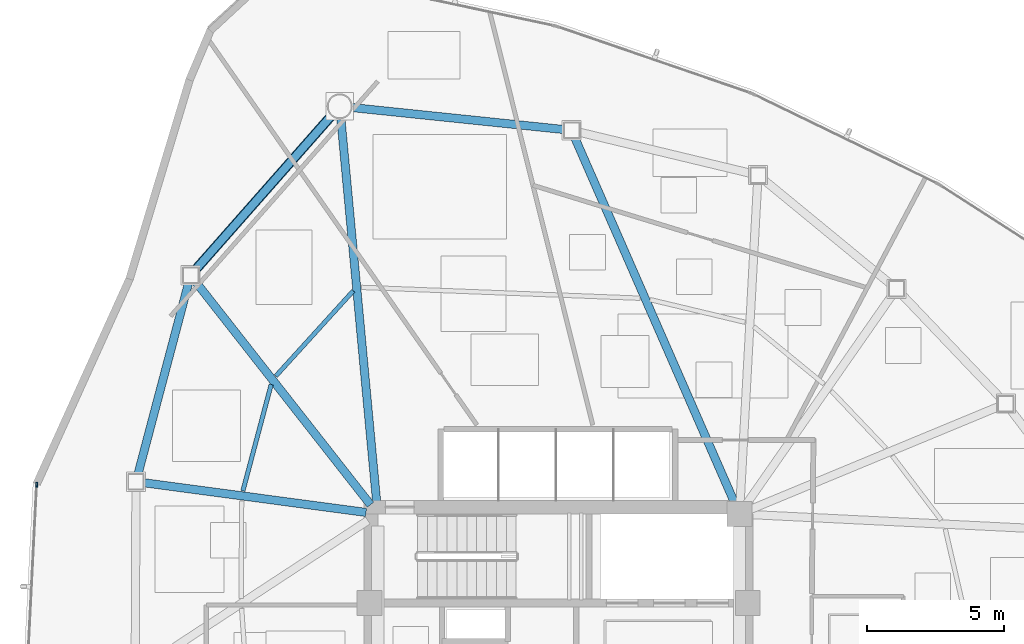
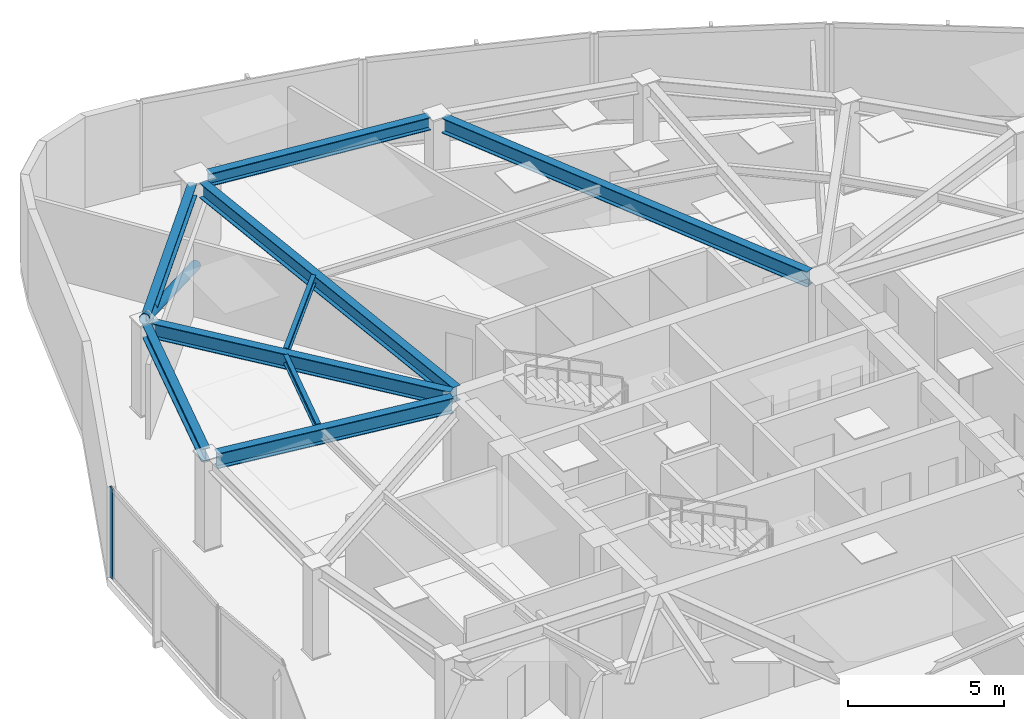
# One storey, part 7 of 17: 9 beams, 2 members, 1 element without a shape of its own.
"""IFC4 building model written with IfcOpenShell, lengths in metres."""

from ifc_helpers import new_model, si_unit, direction, frame, origin, origin_2d, place, context, subcontext, project, spatial, hollow_rectangle, hollow_circle, i_section, extrude, source, transform, mapped, material, layer, layer_set, material_profile, profile_set, type_object, type_shapes, element, aggregate, save


model = new_model("IFC4")

# Units and contexts
model_context = context("Model", 3, precision=1e-05, world=origin(), true_north=direction((0.0, 1.0)))
body_context = subcontext(model_context, "Body", "Model", "MODEL_VIEW")
ifc_project = project(units=[si_unit("LENGTHUNIT", "METRE"), si_unit("AREAUNIT", "SQUARE_METRE"), si_unit("VOLUMEUNIT", "CUBIC_METRE"), si_unit("PLANEANGLEUNIT", "RADIAN"), si_unit("MASSUNIT", "GRAM", prefix="KILO")], contexts=[model_context])

# Site, building, storey
site_placement = place(None, origin())
site = spatial("IfcSite", under=ifc_project, at=site_placement, CompositionType="ELEMENT")
building_placement = place(site_placement, origin())
building = spatial("IfcBuilding", under=site, at=building_placement, Name="Tavelor Broadcast Tower", CompositionType="ELEMENT")
storey_placement = place(building_placement, frame((0.0, 0.0, 161.800048828125)))
storey = spatial("IfcBuildingStorey", under=building, at=storey_placement, Name="L38", CompositionType="ELEMENT", Elevation=161.800048828125)

# Beams
ifc_material_1 = material(Name="Steel S355", Category="steel")
ifc_material_profile_1 = material_profile(ifc_material_1, i_section(OverallWidth=0.159912109375, OverallDepth=0.330078125, WebThickness=0.007568359375, FlangeThickness=0.011474609375, at=origin_2d()), Name="IPE 330")
ifc_profile_set_1 = profile_set([ifc_material_profile_1], Name="Steel S355")
beam_type_1 = type_object("IfcBeamType", Name="Composite Floor Joist T4 IPE 330", PredefinedType="JOIST", material=ifc_profile_set_1)
beam_1_placement = place(storey_placement, frame((42.505615234375, 59.343505859375, 3.385009765625), z_axis=(-0.672852052716, -0.739777071256, 0.0), x_axis=(0.739777071256, -0.672852052716, 0.0)))
element("IfcBeam", 1, at=beam_1_placement, inside=storey, type_object=beam_type_1, Name="L38 Secondary Composite Floor Joist 01", PredefinedType="JOIST", context=body_context, shape_type="SweptSolid", body=[
    extrude(i_section(OverallWidth=0.159912109375, OverallDepth=0.330078125, WebThickness=0.007568359375, FlangeThickness=0.011474609375, at=origin_2d()), origin(), (0.0, 0.0, 1.0), 4.202392578125),
])
beam_2_placement = place(storey_placement, frame((39.509521484375, 55.92578125, 3.385009765625), z_axis=(-0.256963595852, -0.966421083383, 0.0), x_axis=(0.966421083383, -0.256963595852, 0.0)))
element("IfcBeam", 2, at=beam_2_placement, inside=storey, type_object=beam_type_1, Name="L38 Secondary Composite Floor Joist 02", PredefinedType="JOIST", context=body_context, shape_type="SweptSolid", body=[
    extrude(i_section(OverallWidth=0.159912109375, OverallDepth=0.330078125, WebThickness=0.007568359375, FlangeThickness=0.011474609375, at=origin_2d()), origin(), (0.0, 0.0, 1.0), 4.021728515625),
])
ifc_material_profile_2 = material_profile(ifc_material_1, i_section(OverallWidth=0.300048828125, OverallDepth=0.5, WebThickness=0.014404296875, FlangeThickness=0.028076171875, at=origin_2d()), Name="HEB 500")
ifc_profile_set_2 = profile_set([ifc_material_profile_2], Name="Steel S355")
beam_type_2 = type_object("IfcBeamType", Name="Perimeter Spandrel Beam T4 HEB 500", PredefinedType="SPANDREL", material=ifc_profile_set_2)
beam_3_placement = place(storey_placement, frame((41.720947265625, 65.7509765625, 3.300048828125), z_axis=(-0.661625943185, -0.749834055845, 0.0), x_axis=(0.749834055845, -0.661625943185, 0.0)))
element("IfcBeam", 3, at=beam_3_placement, inside=storey, type_object=beam_type_2, Name="L38 Framed-Tube Ring Spandrel 01", PredefinedType="SPANDREL", context=body_context, shape_type="SweptSolid", body=[
    extrude(i_section(OverallWidth=0.300048828125, OverallDepth=0.5, WebThickness=0.014404296875, FlangeThickness=0.028076171875, at=origin_2d()), origin(), (0.0, 0.0, 1.0), 7.500732421875),
])
beam_4_placement = place(storey_placement, frame((36.493896484375, 59.63232421875, 3.300048828125), z_axis=(-0.255762341211, -0.96673968824, 0.0), x_axis=(0.96673968824, -0.255762341211, 0.0)))
element("IfcBeam", 4, at=beam_4_placement, inside=storey, type_object=beam_type_2, Name="L38 Framed-Tube Ring Spandrel 02", PredefinedType="SPANDREL", context=body_context, shape_type="SweptSolid", body=[
    extrude(i_section(OverallWidth=0.300048828125, OverallDepth=0.5, WebThickness=0.014404296875, FlangeThickness=0.028076171875, at=origin_2d()), origin(), (0.0, 0.0, 1.0), 7.214599609375),
])
beam_5_placement = place(storey_placement, frame((50.18603515625, 65.23193359375, 3.300048828125), z_axis=(-0.99466284774, 0.103178579783, 0.0), x_axis=(-0.103178579783, -0.99466284774, 0.0)))
element("IfcBeam", 5, at=beam_5_placement, inside=storey, type_object=beam_type_2, Name="L38 Framed-Tube Ring Spandrel 18", PredefinedType="SPANDREL", context=body_context, shape_type="SweptSolid", body=[
    extrude(i_section(OverallWidth=0.300048828125, OverallDepth=0.5, WebThickness=0.014404296875, FlangeThickness=0.028076171875, at=origin_2d()), origin(), (0.0, 0.0, 1.0), 7.780029296875),
])

# Member
ifc_material_profile_3 = material_profile(ifc_material_1, hollow_circle(Radius=0.177734375, WallThickness=0.01611328125, at=origin_2d()), Name="CHS 355.6x16")
ifc_profile_set_3 = profile_set([ifc_material_profile_3], Name="Steel S355")
member_type_1 = type_object("IfcMemberType", Name="Perimeter Tube Brace T4 CHS 355.6x16", PredefinedType="BRACE", material=ifc_profile_set_3)
member_1_placement = place(storey_placement, frame((42.01123046875, 66.080078125, 0.0), z_axis=(-0.607484590691, -0.688484352459, 0.396171387776), x_axis=(0.74983872131, -0.661620655681, 0.0)))
element("IfcMember", 6, at=member_1_placement, inside=storey, type_object=member_type_1, Name="L38 Corner Tube Diagonal Brace 1", PredefinedType="BRACE", context=body_context, shape_type="SweptSolid", body=[
    extrude(hollow_circle(Radius=0.177734375, WallThickness=0.01611328125, at=origin_2d()), origin(), (0.0, 0.0, 1.0), 8.9609375),
])

# Beams
ifc_material_profile_4 = material_profile(ifc_material_1, i_section(OverallWidth=0.300048828125, OverallDepth=0.590087890625, WebThickness=0.012939453125, FlangeThickness=0.02490234375, at=origin_2d()), Name="HEA 600")
ifc_profile_set_4 = profile_set([ifc_material_profile_4], Name="Steel S355")
beam_type_3 = type_object("IfcBeamType", Name="Radial Floor Girder T4 HEA 600", PredefinedType="BEAM", material=ifc_profile_set_4)
beam_6_placement = place(storey_placement, frame((43.35986328125, 51.630126953125, 3.2548828125), z_axis=(-0.092926929372, 0.995672931136, 0.0), x_axis=(-0.995672931136, -0.092926929372, 0.0)))
element("IfcBeam", 7, at=beam_6_placement, inside=storey, type_object=beam_type_3, Name="L38 Radial Primary Floor Girder 01", PredefinedType="BEAM", context=body_context, shape_type="SweptSolid", body=[
    extrude(i_section(OverallWidth=0.300048828125, OverallDepth=0.590087890625, WebThickness=0.012939453125, FlangeThickness=0.02490234375, at=origin_2d()), origin(), (0.0, 0.0, 1.0), 14.073974609375),
])
beam_7_placement = place(storey_placement, frame((43.13330078125, 51.539794921875, 3.2548828125), z_axis=(-0.617155684101, 0.786841065007, 0.0), x_axis=(-0.786841065007, -0.617155684101, 0.0)))
element("IfcBeam", 8, at=beam_7_placement, inside=storey, type_object=beam_type_3, Name="L38 Radial Primary Floor Girder 02", PredefinedType="BEAM", context=body_context, shape_type="SweptSolid", body=[
    extrude(i_section(OverallWidth=0.300048828125, OverallDepth=0.590087890625, WebThickness=0.012939453125, FlangeThickness=0.02490234375, at=origin_2d()), origin(), (0.0, 0.0, 1.0), 10.3505859375),
])
beam_8_placement = place(storey_placement, frame((42.9716796875, 51.257080078125, 3.2548828125), z_axis=(-0.991183810809, 0.132493974169, 0.0), x_axis=(-0.132493974169, -0.991183810809, 0.0)))
element("IfcBeam", 9, at=beam_8_placement, inside=storey, type_object=beam_type_3, Name="L38 Radial Primary Floor Girder 03", PredefinedType="BEAM", context=body_context, shape_type="SweptSolid", body=[
    extrude(i_section(OverallWidth=0.300048828125, OverallDepth=0.590087890625, WebThickness=0.012939453125, FlangeThickness=0.02490234375, at=origin_2d()), origin(), (0.0, 0.0, 1.0), 8.183349609375),
])
beam_9_placement = place(storey_placement, frame((56.4267578125, 51.595703125, 3.2548828125), z_axis=(-0.4008997337, 0.916121937036, 0.0), x_axis=(-0.916121937036, -0.4008997337, 0.0)))
element("IfcBeam", 10, at=beam_9_placement, inside=storey, type_object=beam_type_3, Name="L38 Radial Primary Floor Girder 18", PredefinedType="BEAM", context=body_context, shape_type="SweptSolid", body=[
    extrude(i_section(OverallWidth=0.300048828125, OverallDepth=0.590087890625, WebThickness=0.012939453125, FlangeThickness=0.02490234375, at=origin_2d()), origin(), (0.0, 0.0, 1.0), 14.564453125),
])

# Curtain wall, member
ifc_material_2 = material(Name="Architectural Anodized Aluminium", Category="aluminium")
ifc_layer = layer(ifc_material_2, 0.18994140625)
ifc_layer_set = layer_set([ifc_layer], Name="Architectural Anodized Aluminium")
curtain_wall_type = type_object("IfcCurtainWallType", Name="Tower Mid-Zone Acoustic Curtain Wall CW03", PredefinedType="NOTDEFINED", material=ifc_layer_set)
curtain_wall_placement = place(storey_placement, origin())
curtain_wall = element("IfcCurtainWall", 11, at=curtain_wall_placement, inside=storey, type_object=curtain_wall_type, Name="L38 Curtain Wall CW03 Run 397", PredefinedType="NOTDEFINED")
ifc_material_profile_5 = material_profile(ifc_material_2, hollow_rectangle(XDim=0.068115234375, YDim=0.18994140625, WallThickness=0.02197265625, at=origin_2d()), Name="RHS 68x190x22")
ifc_profile_set_5 = profile_set([ifc_material_profile_5], Name="Architectural Anodized Aluminium")
member_type_2 = type_object("IfcMemberType", Name="CW03 Extruded Aluminium Mullion 68x190", PredefinedType="MULLION", material=ifc_profile_set_5)
shared_shape = source(origin(), body_context, "Body", "SweptSolid", [
    extrude(hollow_rectangle(XDim=0.068115234375, YDim=0.18994140625, WallThickness=0.02197265625, at=origin_2d()), origin(), (0.0, 0.0, 1.0), 3.550048828125),
])
type_shapes(member_type_2, [shared_shape])
member_2_placement = place(storey_placement, frame((30.95166015625, 52.26953125, 0.0), z_axis=(0.0, 0.0, 1.0), x_axis=(0.998741000946, -0.05016386179, 0.0)))
member_2 = element("IfcMember", 12, at=member_2_placement, type_object=member_type_2, Name="CW03 mullion 1", PredefinedType="MULLION", context=body_context, shape_type="MappedRepresentation", body=[
    mapped(shared_shape, transform((0.0, 0.0, 0.0), scale=1.0)),
])
aggregate(curtain_wall, [member_2])

save(model, "model.ifc")
